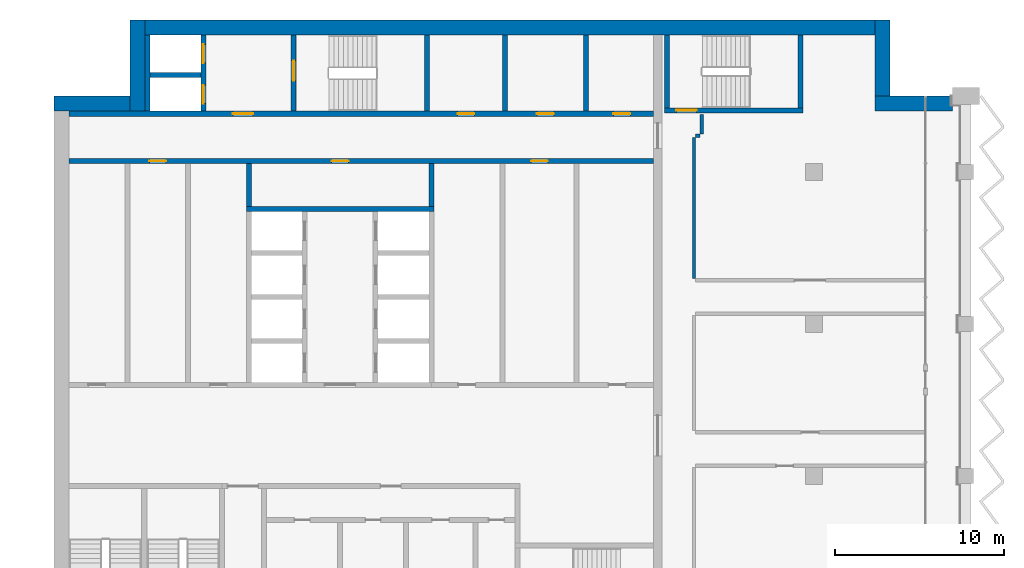
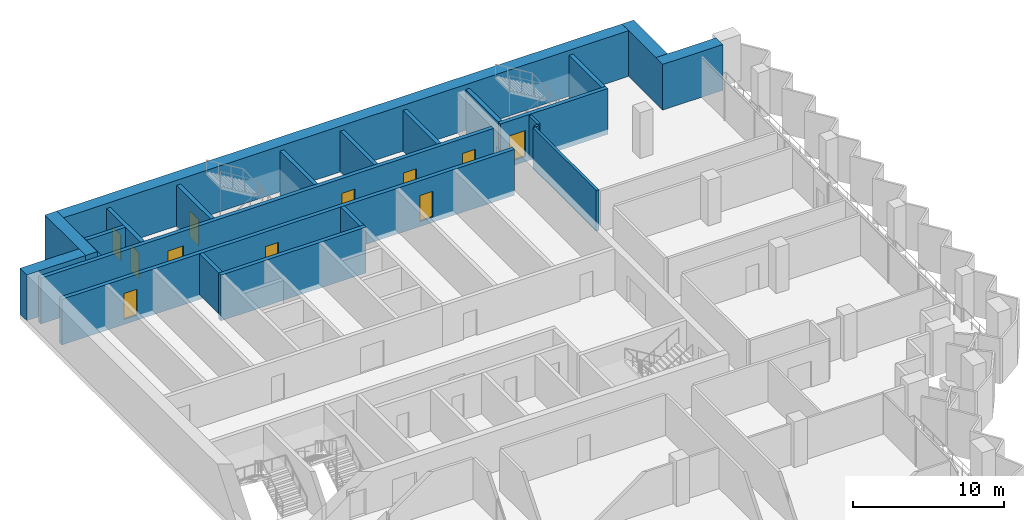
# One storey, part 10 of 16: 23 walls, 11 doors, 11 openings.
"""IFC4 building model written with IfcOpenShell, lengths in metres."""

from ifc_helpers import new_model, si_unit, direction, frame, frame_2d, origin, place, context, subcontext, project, spatial, rectangle, extrude, material, layer, layer_set, type_object, element, fill, save


model = new_model("IFC4")

# Units and contexts
model_context = context("Model", 3, precision=1e-05, world=origin(), true_north=direction((0.0, 1.0)))
body_context = subcontext(model_context, "Body", "Model", "MODEL_VIEW")
ifc_project = project(units=[si_unit("LENGTHUNIT", "METRE"), si_unit("AREAUNIT", "SQUARE_METRE"), si_unit("VOLUMEUNIT", "CUBIC_METRE"), si_unit("PLANEANGLEUNIT", "RADIAN"), si_unit("MASSUNIT", "GRAM", prefix="KILO")], contexts=[model_context])

# Site, building, storey
site_placement = place(None, origin())
site = spatial("IfcSite", under=ifc_project, at=site_placement, CompositionType="ELEMENT")
building_placement = place(site_placement, origin())
building = spatial("IfcBuilding", under=site, at=building_placement, Name="Hunhe Ridgeline Campus", CompositionType="ELEMENT")
storey_placement = place(building_placement, frame((0.0, 0.0, 250.300048828125)))
storey = spatial("IfcBuildingStorey", under=building, at=storey_placement, Name="L64", CompositionType="ELEMENT", Elevation=250.300048828125)

# Walls
ifc_material_1 = material(Name="Masonry concrete blockwork", Category="masonry")
ifc_layer_1 = layer(ifc_material_1, 0.300048828125)
ifc_layer_set_1 = layer_set([ifc_layer_1], Name="Core room partition 300 concrete block")
wall_type_1 = type_object("IfcWallType", Name="Core room partition 300 concrete block", PredefinedType="PARTITIONING", material=ifc_layer_set_1)
for number, where, z_axis, x_axis, name in (
    (1, (11.550048828125, 87.949951171875, 0.0), (0.0, 0.0, 1.0), (0.0, 1.0, 0.0), "L64 core partition 31"),
    (2, (22.35009765625, 87.949951171875, 0.0), (0.0, 0.0, 1.0), (0.0, 1.0, 0.0), "L64 core partition 41"),
):
    element("IfcWall", number, at=place(storey_placement, frame(where, z_axis=z_axis, x_axis=x_axis)), inside=storey, type_object=wall_type_1, Name=name, PredefinedType="PARTITIONING", context=body_context, shape_type="SweptSolid", body=[
        extrude(rectangle(XDim=2.550048828125, YDim=0.300048828125, at=frame_2d((1.27490234375, 0.0))), origin(), (0.0, 0.0, 1.0), 3.300048828125),
    ])
for number, where, z_axis, x_axis, name in (
    (3, (26.699951171875, 93.60009765625, 0.0), (0.0, 0.0, 1.0), (0.0, 1.0, 0.0), "L64 core partition 45"),
    (4, (31.5, 93.60009765625, 0.0), (0.0, 0.0, 1.0), (0.0, 1.0, 0.0), "L64 core partition 49"),
):
    element("IfcWall", number, at=place(storey_placement, frame(where, z_axis=z_axis, x_axis=x_axis)), inside=storey, type_object=wall_type_1, Name=name, PredefinedType="PARTITIONING", context=body_context, shape_type="SweptSolid", body=[
        extrude(rectangle(XDim=4.5, YDim=0.300048828125, at=frame_2d((2.25, 0.0))), origin(), (0.0, 0.0, 1.0), 3.300048828125),
    ])
ifc_material_2 = material(Name="Gypsum board partition")
ifc_layer_2 = layer(ifc_material_2, 0.199951171875)
ifc_layer_set_2 = layer_set([ifc_layer_2], Name="Corridor partition 200 gypsum board on steel studs")
wall_type_2 = type_object("IfcWallType", Name="Corridor partition 200 gypsum board on steel studs", PredefinedType="PARTITIONING", material=ifc_layer_set_2)
wall_1_placement = place(storey_placement, frame((38.25, 92.14990234375, 0.0), z_axis=(0.0, 0.0, 1.0), x_axis=(-1.0, 0.0, 0.0)))
element("IfcWall", 5, at=wall_1_placement, inside=storey, type_object=wall_type_2, Name="F-L64-wall-032", PredefinedType="PARTITIONING", context=body_context, shape_type="SweptSolid", body=[
    extrude(rectangle(XDim=0.25, YDim=0.199951171875, at=frame_2d((0.125, 0.0))), origin(), (0.0, 0.0, 1.0), 3.300048828125),
])
wall_2_placement = place(storey_placement, frame((37.89990234375, 92.050048828125, 0.0), z_axis=(0.0, 0.0, 1.0), x_axis=(0.0, -1.0, 0.0)))
element("IfcWall", 6, at=wall_2_placement, inside=storey, type_object=wall_type_2, Name="F-L64-wall-041", PredefinedType="PARTITIONING", context=body_context, shape_type="SweptSolid", body=[
    extrude(rectangle(XDim=8.35009765625, YDim=0.199951171875, at=frame_2d((4.175048828125, 0.0))), origin(), (0.0, 0.0, 1.0), 3.300048828125),
])
wall_3_placement = place(storey_placement, frame((38.35009765625, 93.39599609375, 0.0), z_axis=(0.0, 0.0, 1.0), x_axis=(0.0, -1.0, 0.0)))
element("IfcWall", 7, at=wall_3_placement, inside=storey, type_object=wall_type_2, Name="F-L64-wall-042", PredefinedType="PARTITIONING", context=body_context, shape_type="SweptSolid", body=[
    extrude(rectangle(XDim=1.14599609375, YDim=0.199951171875, at=frame_2d((0.572998046875, 0.0))), origin(), (0.0, 0.0, 1.0), 3.300048828125),
])

# Wall, openings, doors
ifc_material_3 = material(Name="Concrete C50", Category="concrete")
ifc_layer_3 = layer(ifc_material_3, 0.300048828125)
ifc_layer_set_3 = layer_set([ifc_layer_3], Name="Lobby wall 300 reinforced concrete C50")
wall_type_3 = type_object("IfcWallType", Name="Lobby wall 300 reinforced concrete C50", PredefinedType="SOLIDWALL", material=ifc_layer_set_3)
wall_4_placement = place(storey_placement, frame((0.89990234375, 90.64990234375, -0.400146484375), z_axis=(0.0, 0.0, 1.0), x_axis=(1.0, 0.0, 0.0)))
wall_4 = element("IfcWall", 8, at=wall_4_placement, inside=storey, type_object=wall_type_3, Name="L64 core wall 19", PredefinedType="SOLIDWALL", context=body_context, shape_type="SweptSolid", body=[
    extrude(rectangle(XDim=34.60009765625, YDim=0.300048828125, at=frame_2d((17.300048828125, 0.0))), origin(), (0.0, 0.0, 1.0), 3.7001953125),
])
opening_1_placement = place(wall_4_placement, frame((15.550048828125, 0.0, 0.39990234375)))
opening_1 = element("IfcOpeningElement", 9, at=opening_1_placement, cuts=wall_4, Name="Opening CD26", PredefinedType="OPENING", context=body_context, shape_type="SweptSolid", body=[
    extrude(rectangle(XDim=1.0, YDim=2.10009765625, at=frame_2d((0.5, 1.050048828125))), frame((0.0, 0.14990234375, 0.0), z_axis=(0.0, -1.0, 0.0), x_axis=(1.0, 0.0, 0.0)), (0.0, 0.0, 1.0), 0.300048828125),
])
opening_2_placement = place(wall_4_placement, frame((4.75, 0.0, 0.39990234375)))
opening_2 = element("IfcOpeningElement", 10, at=opening_2_placement, cuts=wall_4, Name="Opening CD40", PredefinedType="OPENING", context=body_context, shape_type="SweptSolid", body=[
    extrude(rectangle(XDim=1.0, YDim=2.10009765625, at=frame_2d((0.5, 1.050048828125))), frame((0.0, 0.14990234375, 0.0), z_axis=(0.0, -1.0, 0.0), x_axis=(1.0, 0.0, 0.0)), (0.0, 0.0, 1.0), 0.300048828125),
])
opening_3_placement = place(wall_4_placement, frame((27.35009765625, 0.0, 0.39990234375)))
opening_3 = element("IfcOpeningElement", 11, at=opening_3_placement, cuts=wall_4, Name="Opening CD33", PredefinedType="OPENING", context=body_context, shape_type="SweptSolid", body=[
    extrude(rectangle(XDim=1.0, YDim=2.10009765625, at=frame_2d((0.5, 1.050048828125))), frame((0.0, 0.14990234375, 0.0), z_axis=(0.0, -1.0, 0.0), x_axis=(1.0, 0.0, 0.0)), (0.0, 0.0, 1.0), 0.300048828125),
])
ifc_material_4 = material(Name="Solid core timber door leaf", Category="wood")
door_type_1 = type_object("IfcDoorType", Name="Timber door 1000x2100", OperationType="SINGLE_SWING_LEFT", PredefinedType="DOOR", material=ifc_material_4)
door_1_placement = place(opening_1_placement, frame((1.0, 0.0, 0.0), z_axis=(0.0, 0.0, 1.0), x_axis=(-1.0, 0.0, 0.0)))
door_1 = element("IfcDoor", 12, at=door_1_placement, inside=storey, type_object=door_type_1, Name="L64 door NR-0", OperationType="SINGLE_SWING_RIGHT", OverallHeight=2.10009765625, OverallWidth=1.0, PredefinedType="DOOR", context=body_context, shape_type="SweptSolid", body=[
    extrude(rectangle(XDim=1.0, YDim=2.10009765625, at=frame_2d((0.5, 1.050048828125))), frame((0.0, 0.02490234375, 0.0), z_axis=(0.0, -1.0, 0.0), x_axis=(1.0, 0.0, 0.0)), (0.0, 0.0, 1.0), 0.050048828125),
])
fill(opening_1, door_1)
door_2_placement = place(opening_2_placement, frame((1.0, 0.0, 0.0), z_axis=(0.0, 0.0, 1.0), x_axis=(-1.0, 0.0, 0.0)))
door_2 = element("IfcDoor", 13, at=door_2_placement, inside=storey, type_object=door_type_1, Name="L64 door VD-LR1", OperationType="SINGLE_SWING_RIGHT", OverallHeight=2.10009765625, OverallWidth=1.0, PredefinedType="DOOR", context=body_context, shape_type="SweptSolid", body=[
    extrude(rectangle(XDim=1.0, YDim=2.10009765625, at=frame_2d((0.5, 1.050048828125))), frame((0.0, 0.02490234375, 0.0), z_axis=(0.0, -1.0, 0.0), x_axis=(1.0, 0.0, 0.0)), (0.0, 0.0, 1.0), 0.050048828125),
])
fill(opening_2, door_2)
door_3_placement = place(opening_3_placement, frame((1.0, 0.0, 0.0), z_axis=(0.0, 0.0, 1.0), x_axis=(-1.0, 0.0, 0.0)))
door_3 = element("IfcDoor", 14, at=door_3_placement, inside=storey, type_object=door_type_1, Name="L64 door ES1", OperationType="SINGLE_SWING_RIGHT", OverallHeight=2.10009765625, OverallWidth=1.0, PredefinedType="DOOR", context=body_context, shape_type="SweptSolid", body=[
    extrude(rectangle(XDim=1.0, YDim=2.10009765625, at=frame_2d((0.5, 1.050048828125))), frame((0.0, 0.02490234375, 0.0), z_axis=(0.0, -1.0, 0.0), x_axis=(1.0, 0.0, 0.0)), (0.0, 0.0, 1.0), 0.050048828125),
])
fill(opening_3, door_3)

# Wall
ifc_layer_4 = layer(ifc_material_3, 0.300048828125)
ifc_layer_set_4 = layer_set([ifc_layer_4], Name="Shaft wall 300 reinforced concrete C50")
wall_type_4 = type_object("IfcWallType", Name="Shaft wall 300 reinforced concrete C50", PredefinedType="SOLIDWALL", material=ifc_layer_set_4)
wall_5_placement = place(storey_placement, frame((11.39990234375, 87.800048828125, -0.400146484375), z_axis=(0.0, 0.0, 1.0), x_axis=(1.0, 0.0, 0.0)))
element("IfcWall", 15, at=wall_5_placement, inside=storey, type_object=wall_type_4, Name="L64 core wall 18", PredefinedType="SOLIDWALL", context=body_context, shape_type="SweptSolid", body=[
    extrude(rectangle(XDim=11.10009765625, YDim=0.300048828125, at=frame_2d((5.550048828125, 0.0))), origin(), (0.0, 0.0, 1.0), 3.7001953125),
])

# Wall, openings, doors
wall_6_placement = place(storey_placement, frame((0.89990234375, 93.449951171875, -0.400146484375), z_axis=(0.0, 0.0, 1.0), x_axis=(1.0, 0.0, 0.0)))
wall_6 = element("IfcWall", 16, at=wall_6_placement, inside=storey, type_object=wall_type_4, Name="L64 core wall 20", PredefinedType="SOLIDWALL", context=body_context, shape_type="SweptSolid", body=[
    extrude(rectangle(XDim=34.60009765625, YDim=0.300048828125, at=frame_2d((17.300048828125, 0.0))), origin(), (0.0, 0.0, 1.0), 3.7001953125),
])
opening_4_placement = place(wall_6_placement, frame((9.699951171875, 0.0, 0.39990234375)))
opening_4 = element("IfcOpeningElement", 17, at=opening_4_placement, cuts=wall_6, Name="Opening CD3", PredefinedType="OPENING", context=body_context, shape_type="SweptSolid", body=[
    extrude(rectangle(XDim=1.199951171875, YDim=2.10009765625, at=frame_2d((0.60009765625, 1.050048828125))), frame((0.0, 0.14990234375, 0.0), z_axis=(0.0, -1.0, 0.0), x_axis=(1.0, 0.0, 0.0)), (0.0, 0.0, 1.0), 0.300048828125),
])
opening_5_placement = place(wall_6_placement, frame((23.0, 0.0, 0.39990234375)))
opening_5 = element("IfcOpeningElement", 18, at=opening_5_placement, cuts=wall_6, Name="Opening CD34", PredefinedType="OPENING", context=body_context, shape_type="SweptSolid", body=[
    extrude(rectangle(XDim=1.0, YDim=2.10009765625, at=frame_2d((0.5, 1.050048828125))), frame((0.0, 0.14990234375, 0.0), z_axis=(0.0, -1.0, 0.0), x_axis=(1.0, 0.0, 0.0)), (0.0, 0.0, 1.0), 0.300048828125),
])
opening_6_placement = place(wall_6_placement, frame((27.699951171875, 0.0, 0.39990234375)))
opening_6 = element("IfcOpeningElement", 19, at=opening_6_placement, cuts=wall_6, Name="Opening CD35", PredefinedType="OPENING", context=body_context, shape_type="SweptSolid", body=[
    extrude(rectangle(XDim=1.0, YDim=2.10009765625, at=frame_2d((0.5, 1.050048828125))), frame((0.0, 0.14990234375, 0.0), z_axis=(0.0, -1.0, 0.0), x_axis=(1.0, 0.0, 0.0)), (0.0, 0.0, 1.0), 0.300048828125),
])
opening_7_placement = place(wall_6_placement, frame((32.22509765625, 0.0, 0.39990234375)))
opening_7 = element("IfcOpeningElement", 20, at=opening_7_placement, cuts=wall_6, Name="Opening CD36", PredefinedType="OPENING", context=body_context, shape_type="SweptSolid", body=[
    extrude(rectangle(XDim=1.0, YDim=2.10009765625, at=frame_2d((0.5, 1.050048828125))), frame((0.0, 0.14990234375, 0.0), z_axis=(0.0, -1.0, 0.0), x_axis=(1.0, 0.0, 0.0)), (0.0, 0.0, 1.0), 0.300048828125),
])
ifc_material_5 = material(Name="Hollow metal fire door leaf")
door_type_2 = type_object("IfcDoorType", Name="Lobby door 1200x2100 FD60", OperationType="SINGLE_SWING_LEFT", PredefinedType="DOOR", material=ifc_material_5)
door_4_placement = place(opening_4_placement, frame((1.199951171875, 0.0, 0.0), z_axis=(0.0, 0.0, 1.0), x_axis=(-1.0, 0.0, 0.0)))
door_4 = element("IfcDoor", 21, at=door_4_placement, inside=storey, type_object=door_type_2, Name="L64 door FF-C1", OperationType="SINGLE_SWING_RIGHT", OverallHeight=2.10009765625, OverallWidth=1.199951171875, PredefinedType="DOOR", context=body_context, shape_type="SweptSolid", body=[
    extrude(rectangle(XDim=1.199951171875, YDim=2.10009765625, at=frame_2d((0.60009765625, 1.050048828125))), frame((0.0, 0.02490234375, 0.0), z_axis=(0.0, -1.0, 0.0), x_axis=(1.0, 0.0, 0.0)), (0.0, 0.0, 1.0), 0.050048828125),
])
fill(opening_4, door_4)
door_5_placement = place(opening_5_placement, origin())
door_5 = element("IfcDoor", 22, at=door_5_placement, inside=storey, type_object=door_type_1, Name="L64 door NB0", OperationType="SINGLE_SWING_LEFT", OverallHeight=2.10009765625, OverallWidth=1.0, PredefinedType="DOOR", context=body_context, shape_type="SweptSolid", body=[
    extrude(rectangle(XDim=1.0, YDim=2.10009765625, at=frame_2d((0.5, 1.050048828125))), frame((0.0, 0.02490234375, 0.0), z_axis=(0.0, -1.0, 0.0), x_axis=(1.0, 0.0, 0.0)), (0.0, 0.0, 1.0), 0.050048828125),
])
fill(opening_5, door_5)
door_6_placement = place(opening_6_placement, origin())
door_6 = element("IfcDoor", 23, at=door_6_placement, inside=storey, type_object=door_type_1, Name="L64 door NB1", OperationType="SINGLE_SWING_RIGHT", OverallHeight=2.10009765625, OverallWidth=1.0, PredefinedType="DOOR", context=body_context, shape_type="SweptSolid", body=[
    extrude(rectangle(XDim=1.0, YDim=2.10009765625, at=frame_2d((0.5, 1.050048828125))), frame((0.0, 0.02490234375, 0.0), z_axis=(0.0, -1.0, 0.0), x_axis=(1.0, 0.0, 0.0)), (0.0, 0.0, 1.0), 0.050048828125),
])
fill(opening_6, door_6)
door_7_placement = place(opening_7_placement, origin())
door_7 = element("IfcDoor", 24, at=door_7_placement, inside=storey, type_object=door_type_1, Name="L64 door NB2", OperationType="SINGLE_SWING_LEFT", OverallHeight=2.10009765625, OverallWidth=1.0, PredefinedType="DOOR", context=body_context, shape_type="SweptSolid", body=[
    extrude(rectangle(XDim=1.0, YDim=2.10009765625, at=frame_2d((0.5, 1.050048828125))), frame((0.0, 0.02490234375, 0.0), z_axis=(0.0, -1.0, 0.0), x_axis=(1.0, 0.0, 0.0)), (0.0, 0.0, 1.0), 0.050048828125),
])
fill(opening_7, door_7)

# Walls
wall_7_placement = place(storey_placement, frame((5.699951171875, 95.75, -0.400146484375), z_axis=(0.0, 0.0, 1.0), x_axis=(1.0, 0.0, 0.0)))
element("IfcWall", 25, at=wall_7_placement, inside=storey, type_object=wall_type_4, Name="L64 core wall 22", PredefinedType="SOLIDWALL", context=body_context, shape_type="SweptSolid", body=[
    extrude(rectangle(XDim=3.0, YDim=0.300048828125, at=frame_2d((1.5, 0.0))), origin(), (0.0, 0.0, 1.0), 3.7001953125),
])
wall_8_placement = place(storey_placement, frame((5.550048828125, 93.60009765625, -0.400146484375), z_axis=(0.0, 0.0, 1.0), x_axis=(0.0, 1.0, 0.0)))
element("IfcWall", 26, at=wall_8_placement, inside=storey, type_object=wall_type_4, Name="L64 core wall 25", PredefinedType="SOLIDWALL", context=body_context, shape_type="SweptSolid", body=[
    extrude(rectangle(XDim=4.5, YDim=0.300048828125, at=frame_2d((2.25, 0.0))), origin(), (0.0, 0.0, 1.0), 3.7001953125),
])

# Wall, openings, doors
wall_9_placement = place(storey_placement, frame((8.85009765625, 93.60009765625, -0.400146484375), z_axis=(0.0, 0.0, 1.0), x_axis=(0.0, 1.0, 0.0)))
wall_9 = element("IfcWall", 27, at=wall_9_placement, inside=storey, type_object=wall_type_4, Name="L64 core wall 28", PredefinedType="SOLIDWALL", context=body_context, shape_type="SweptSolid", body=[
    extrude(rectangle(XDim=4.5, YDim=0.300048828125, at=frame_2d((2.25, 0.0))), origin(), (0.0, 0.0, 1.0), 3.7001953125),
])
opening_8_placement = place(wall_9_placement, frame((0.449951171875, 0.0, 0.39990234375)))
opening_8 = element("IfcOpeningElement", 28, at=opening_8_placement, cuts=wall_9, Name="Opening LD-FF1", PredefinedType="OPENING", context=body_context, shape_type="SweptSolid", body=[
    extrude(rectangle(XDim=1.10009765625, YDim=2.10009765625, at=frame_2d((0.550048828125, 1.050048828125))), frame((0.0, 0.14990234375, 0.0), z_axis=(0.0, -1.0, 0.0), x_axis=(1.0, 0.0, 0.0)), (0.0, 0.0, 1.0), 0.300048828125),
])
opening_9_placement = place(wall_9_placement, frame((2.85009765625, 0.0, 0.39990234375)))
opening_9 = element("IfcOpeningElement", 29, at=opening_9_placement, cuts=wall_9, Name="Opening LD-FF2", PredefinedType="OPENING", context=body_context, shape_type="SweptSolid", body=[
    extrude(rectangle(XDim=1.10009765625, YDim=2.10009765625, at=frame_2d((0.550048828125, 1.050048828125))), frame((0.0, 0.14990234375, 0.0), z_axis=(0.0, -1.0, 0.0), x_axis=(1.0, 0.0, 0.0)), (0.0, 0.0, 1.0), 0.300048828125),
])
ifc_material_6 = material(Name="Stainless steel sliding leaves", Category="steel")
door_type_3 = type_object("IfcDoorType", Name="Landing door 1100x2100 FD120", OperationType="SLIDING_TO_LEFT", PredefinedType="DOOR", material=ifc_material_6)
door_8_placement = place(opening_8_placement, origin())
door_8 = element("IfcDoor", 30, at=door_8_placement, inside=storey, type_object=door_type_3, Name="L64 landing door FF1", OperationType="SLIDING_TO_RIGHT", OverallHeight=2.10009765625, OverallWidth=1.10009765625, PredefinedType="DOOR", context=body_context, shape_type="SweptSolid", body=[
    extrude(rectangle(XDim=1.10009765625, YDim=2.10009765625, at=frame_2d((0.550048828125, 1.050048828125))), frame((0.0, 0.02490234375, 0.0), z_axis=(0.0, -1.0, 0.0), x_axis=(1.0, 0.0, 0.0)), (0.0, 0.0, 1.0), 0.050048828125),
])
fill(opening_8, door_8)
door_9_placement = place(opening_9_placement, origin())
door_9 = element("IfcDoor", 31, at=door_9_placement, inside=storey, type_object=door_type_3, Name="L64 landing door FF2", OperationType="SLIDING_TO_LEFT", OverallHeight=2.10009765625, OverallWidth=1.10009765625, PredefinedType="DOOR", context=body_context, shape_type="SweptSolid", body=[
    extrude(rectangle(XDim=1.10009765625, YDim=2.10009765625, at=frame_2d((0.550048828125, 1.050048828125))), frame((0.0, 0.02490234375, 0.0), z_axis=(0.0, -1.0, 0.0), x_axis=(1.0, 0.0, 0.0)), (0.0, 0.0, 1.0), 0.050048828125),
])
fill(opening_9, door_9)

# Walls
ifc_material_7 = material(Name="Concrete C60", Category="concrete")
ifc_layer_5 = layer(ifc_material_7, 0.89990234375)
ifc_layer_set_5 = layer_set([ifc_layer_5], Name="Spine wall 900 Concrete C60")
wall_type_5 = type_object("IfcWallType", Name="Spine wall 900 Concrete C60", PredefinedType="SHEAR", material=ifc_layer_set_5)
wall_10_placement = place(storey_placement, frame((53.199951171875, 94.050048828125, 0.0), z_axis=(0.0, 0.0, 1.0), x_axis=(-1.0, 0.0, 0.0)))
element("IfcWall", 32, at=wall_10_placement, inside=storey, type_object=wall_type_5, Name="Spine wall SW3-2 L64", PredefinedType="SHEAR", context=body_context, shape_type="SweptSolid", body=[
    extrude(rectangle(XDim=4.599853515625, YDim=0.89990234375, at=frame_2d((2.2998046875, 0.0))), origin(), (0.0, 0.0, 1.0), 3.699951171875),
])
wall_11_placement = place(storey_placement, frame((49.050048828125, 93.60009765625, 0.0), z_axis=(0.0, 0.0, 1.0), x_axis=(0.0, 1.0, 0.0)))
element("IfcWall", 33, at=wall_11_placement, inside=storey, type_object=wall_type_5, Name="Spine wall SW3-3 L64", PredefinedType="SHEAR", context=body_context, shape_type="SweptSolid", body=[
    extrude(rectangle(XDim=5.39990234375, YDim=0.89990234375, at=frame_2d((2.699951171875, 0.0))), origin(), (0.0, 0.0, 1.0), 3.699951171875),
])
wall_12_placement = place(storey_placement, frame((49.5, 98.550048828125, 0.0), z_axis=(0.0, 0.0, 1.0), x_axis=(-1.0, 0.0, 0.0)))
element("IfcWall", 34, at=wall_12_placement, inside=storey, type_object=wall_type_5, Name="Spine wall SW3-4 L64", PredefinedType="SHEAR", context=body_context, shape_type="SweptSolid", body=[
    extrude(rectangle(XDim=45.0, YDim=0.89990234375, at=frame_2d((22.5, 0.0))), origin(), (0.0, 0.0, 1.0), 3.699951171875),
])
for number, where, z_axis, x_axis, name in (
    (35, (4.949951171875, 99.0, 0.0), (0.0, 0.0, 1.0), (0.0, -1.0, 0.0), "Spine wall SW3-5 L64"),
    (36, (5.400146484375, 94.050048828125, 0.0), (0.0, 0.0, 1.0), (-1.0, 0.0, 0.0), "Spine wall SW3-6 L64"),
):
    element("IfcWall", number, at=place(storey_placement, frame(where, z_axis=z_axis, x_axis=x_axis)), inside=storey, type_object=wall_type_5, Name=name, PredefinedType="SHEAR", context=body_context, shape_type="SweptSolid", body=[
        extrude(rectangle(XDim=5.400146484375, YDim=0.89990234375, at=frame_2d((2.7001953125, 0.0))), origin(), (0.0, 0.0, 1.0), 3.699951171875),
    ])

# Wall, opening, door
ifc_layer_6 = layer(ifc_material_3, 0.300048828125)
ifc_layer_set_6 = layer_set([ifc_layer_6], Name="Stair wall 300 reinforced concrete C50")
wall_type_6 = type_object("IfcWallType", Name="Stair wall 300 reinforced concrete C50", PredefinedType="SOLIDWALL", material=ifc_layer_set_6)
wall_13_placement = place(storey_placement, frame((36.14990234375, 93.64990234375, -0.400146484375), z_axis=(0.0, 0.0, 1.0), x_axis=(1.0, 0.0, 0.0)))
wall_13 = element("IfcWall", 37, at=wall_13_placement, inside=storey, type_object=wall_type_6, Name="L64 core wall 21", PredefinedType="SOLIDWALL", context=body_context, shape_type="SweptSolid", body=[
    extrude(rectangle(XDim=8.2001953125, YDim=0.300048828125, at=frame_2d((4.10009765625, 0.0))), origin(), (0.0, 0.0, 1.0), 3.7001953125),
])
opening_10_placement = place(wall_13_placement, frame((0.699951171875, 0.0, 0.39990234375)))
opening_10 = element("IfcOpeningElement", 38, at=opening_10_placement, cuts=wall_13, Name="Opening CD17", PredefinedType="OPENING", context=body_context, shape_type="SweptSolid", body=[
    extrude(rectangle(XDim=1.199951171875, YDim=2.10009765625, at=frame_2d((0.60009765625, 1.050048828125))), frame((0.0, 0.14990234375, 0.0), z_axis=(0.0, -1.0, 0.0), x_axis=(1.0, 0.0, 0.0)), (0.0, 0.0, 1.0), 0.300048828125),
])
door_type_4 = type_object("IfcDoorType", Name="Stair door 1200x2100 FD60", OperationType="SINGLE_SWING_LEFT", PredefinedType="DOOR", material=ifc_material_5)
door_10_placement = place(opening_10_placement, frame((1.199951171875, 0.0, 0.0), z_axis=(0.0, 0.0, 1.0), x_axis=(-1.0, 0.0, 0.0)))
door_10 = element("IfcDoor", 39, at=door_10_placement, inside=storey, type_object=door_type_4, Name="L64 door E1", OperationType="SINGLE_SWING_LEFT", OverallHeight=2.10009765625, OverallWidth=1.199951171875, PredefinedType="DOOR", context=body_context, shape_type="SweptSolid", body=[
    extrude(rectangle(XDim=1.199951171875, YDim=2.10009765625, at=frame_2d((0.60009765625, 1.050048828125))), frame((0.0, 0.02490234375, 0.0), z_axis=(0.0, -1.0, 0.0), x_axis=(1.0, 0.0, 0.0)), (0.0, 0.0, 1.0), 0.050048828125),
])
fill(opening_10, door_10)

wall_14_placement = place(storey_placement, frame((14.199951171875, 93.60009765625, -0.400146484375), z_axis=(0.0, 0.0, 1.0), x_axis=(0.0, 1.0, 0.0)))
wall_14 = element("IfcWall", 40, at=wall_14_placement, inside=storey, type_object=wall_type_6, Name="L64 core wall 33", PredefinedType="SOLIDWALL", context=body_context, shape_type="SweptSolid", body=[
    extrude(rectangle(XDim=4.5, YDim=0.300048828125, at=frame_2d((2.25, 0.0))), origin(), (0.0, 0.0, 1.0), 3.7001953125),
])
opening_11_placement = place(wall_14_placement, frame((1.800048828125, 0.0, 0.39990234375)))
opening_11 = element("IfcOpeningElement", 41, at=opening_11_placement, cuts=wall_14, Name="Opening CD16", PredefinedType="OPENING", context=body_context, shape_type="SweptSolid", body=[
    extrude(rectangle(XDim=1.199951171875, YDim=2.10009765625, at=frame_2d((0.60009765625, 1.050048828125))), frame((0.0, 0.14990234375, 0.0), z_axis=(0.0, -1.0, 0.0), x_axis=(1.0, 0.0, 0.0)), (0.0, 0.0, 1.0), 0.300048828125),
])
door_11_placement = place(opening_11_placement, origin())
door_11 = element("IfcDoor", 42, at=door_11_placement, inside=storey, type_object=door_type_4, Name="L64 door S1-FF", OperationType="SINGLE_SWING_RIGHT", OverallHeight=2.10009765625, OverallWidth=1.199951171875, PredefinedType="DOOR", context=body_context, shape_type="SweptSolid", body=[
    extrude(rectangle(XDim=1.199951171875, YDim=2.10009765625, at=frame_2d((0.60009765625, 1.050048828125))), frame((0.0, 0.02490234375, 0.0), z_axis=(0.0, -1.0, 0.0), x_axis=(1.0, 0.0, 0.0)), (0.0, 0.0, 1.0), 0.050048828125),
])
fill(opening_11, door_11)

# Walls
wall_15_placement = place(storey_placement, frame((22.10009765625, 93.60009765625, -0.400146484375), z_axis=(0.0, 0.0, 1.0), x_axis=(0.0, 1.0, 0.0)))
element("IfcWall", 43, at=wall_15_placement, inside=storey, type_object=wall_type_6, Name="L64 core wall 39", PredefinedType="SOLIDWALL", context=body_context, shape_type="SweptSolid", body=[
    extrude(rectangle(XDim=4.5, YDim=0.300048828125, at=frame_2d((2.25, 0.0))), origin(), (0.0, 0.0, 1.0), 3.7001953125),
])
for number, where, z_axis, x_axis, name in (
    (44, (36.300048828125, 93.800048828125, -0.400146484375), (0.0, 0.0, 1.0), (0.0, 1.0, 0.0), "L64 core wall 51"),
    (45, (44.199951171875, 93.800048828125, -0.400146484375), (0.0, 0.0, 1.0), (0.0, 1.0, 0.0), "L64 core wall 52"),
):
    element("IfcWall", number, at=place(storey_placement, frame(where, z_axis=z_axis, x_axis=x_axis)), inside=storey, type_object=wall_type_6, Name=name, PredefinedType="SOLIDWALL", context=body_context, shape_type="SweptSolid", body=[
        extrude(rectangle(XDim=4.300048828125, YDim=0.300048828125, at=frame_2d((2.14990234375, 0.0))), origin(), (0.0, 0.0, 1.0), 3.7001953125),
    ])

save(model, "model.ifc")
